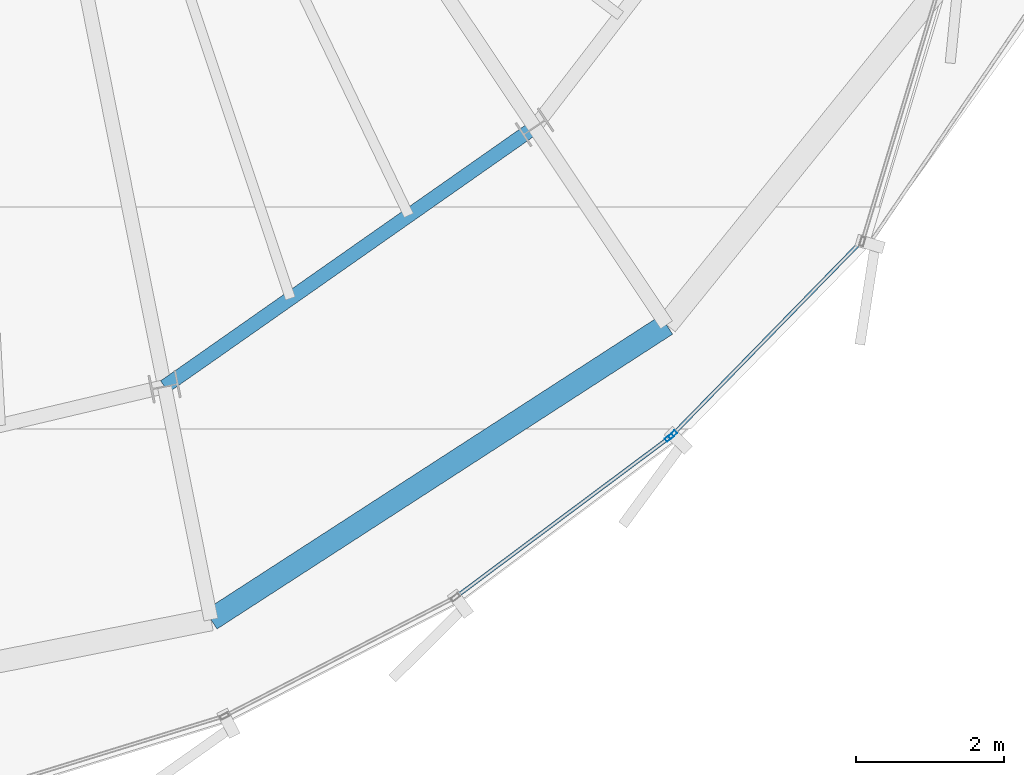
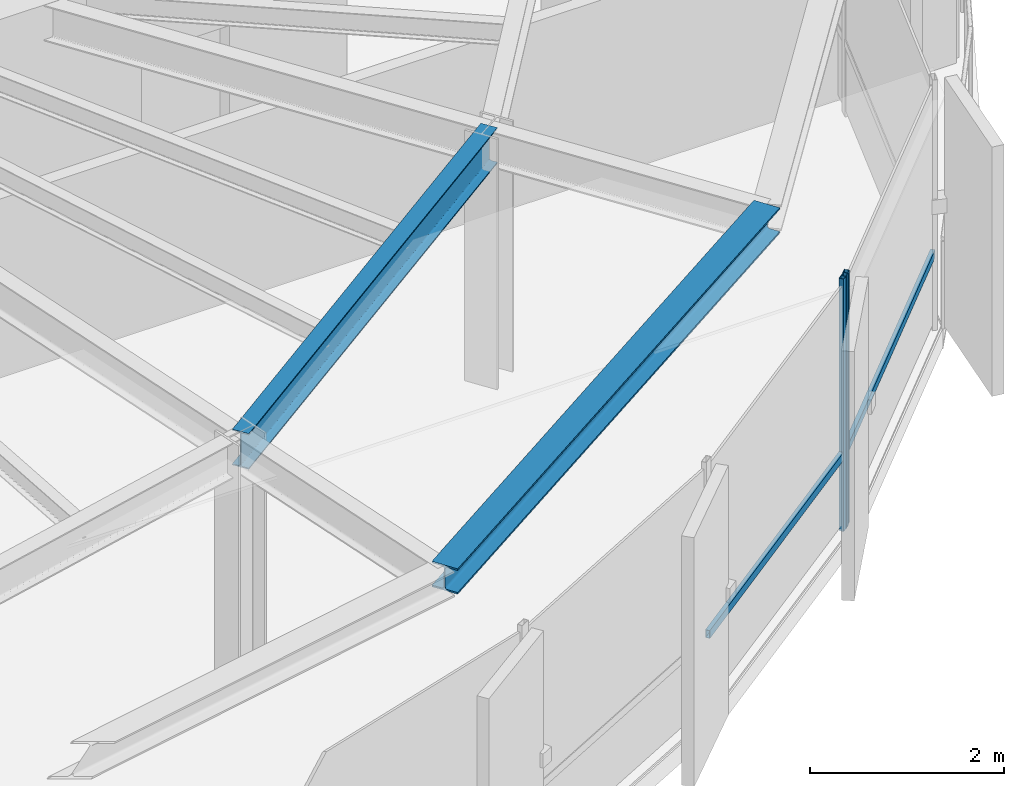
# One storey, part 7 of 31: 4 members, 2 beams, 2 elements without a shape of their own.
"""IFC4 building model written with IfcOpenShell, lengths in metres."""

from ifc_helpers import new_model, si_unit, direction, frame, origin, origin_2d, place, context, subcontext, project, spatial, hollow_rectangle, i_section, extrude, source, transform, mapped, material, layer, layer_set, material_profile, profile_set, type_object, element, aggregate, save


model = new_model("IFC4")

# Units and contexts
model_context = context("Model", 3, precision=1e-05, world=origin(), true_north=direction((0.0, 1.0)))
body_context = subcontext(model_context, "Body", "Model", "MODEL_VIEW")
ifc_project = project(units=[si_unit("LENGTHUNIT", "METRE"), si_unit("AREAUNIT", "SQUARE_METRE"), si_unit("VOLUMEUNIT", "CUBIC_METRE"), si_unit("PLANEANGLEUNIT", "RADIAN"), si_unit("MASSUNIT", "GRAM", prefix="KILO"), si_unit("THERMODYNAMICTEMPERATUREUNIT", "KELVIN")], contexts=[model_context])

# Site, building, storey
site_placement = place(None, origin())
site = spatial("IfcSite", under=ifc_project, at=site_placement, CompositionType="ELEMENT")
building_placement = place(site_placement, origin())
building = spatial("IfcBuilding", under=site, at=building_placement, Name="Kethvar Cultural Tower", CompositionType="ELEMENT")
storey_placement = place(building_placement, frame((0.0, 0.0, 300.85009765625)))
storey = spatial("IfcBuildingStorey", under=building, at=storey_placement, Name="L80", CompositionType="ELEMENT", Elevation=300.85009765625)

# Beams
ifc_material_1 = material(Name="Steel S355J2", Category="steel")
ifc_material_profile_1 = material_profile(ifc_material_1, i_section(OverallWidth=0.18994140625, OverallDepth=0.449951171875, WebThickness=0.009521484375, FlangeThickness=0.0146484375, FilletRadius=0.02099609375, at=origin_2d()), Name="Steel S355J2 — IPE450")
ifc_profile_set_1 = profile_set([ifc_material_profile_1], Name="Steel S355J2 — IPE450")
beam_type_1 = type_object("IfcBeamType", Name="BM-IPE450", PredefinedType="BEAM", material=ifc_profile_set_1)
shared_shape_1 = source(origin(), body_context, "Body", "SweptSolid", [
    extrude(i_section(OverallWidth=0.18994140625, OverallDepth=0.449951171875, WebThickness=0.009521484375, FlangeThickness=0.0146484375, FilletRadius=0.02099609375, at=origin_2d()), origin(), (0.0, 0.0, 1.0), 6.0859375),
])
beam_1_placement = place(storey_placement, frame((49.901611328125, 12.206787109375, 2.9580078125), z_axis=(0.818843498091, 0.57401683393, 0.0), x_axis=(-0.57401683393, 0.818843498091, 0.0)))
element("IfcBeam", 1, at=beam_1_placement, inside=storey, type_object=beam_type_1, Name="L80 Column Ring Tie Beam CR-13", PredefinedType="BEAM", context=body_context, shape_type="MappedRepresentation", body=[
    mapped(shared_shape_1, transform((0.0, 0.0, 0.0), scale=1.0)),
])
ifc_material_profile_2 = material_profile(ifc_material_1, i_section(OverallWidth=0.300048828125, OverallDepth=0.320068359375, WebThickness=0.011474609375, FlangeThickness=0.0205078125, FilletRadius=0.027099609375, at=origin_2d()), Name="Steel S355J2 — HEB320")
ifc_profile_set_2 = profile_set([ifc_material_profile_2], Name="Steel S355J2 — HEB320")
beam_type_2 = type_object("IfcBeamType", Name="BM-SP320", PredefinedType="SPANDREL", material=ifc_profile_set_2)
shared_shape_2 = source(origin(), body_context, "Body", "SweptSolid", [
    extrude(i_section(OverallWidth=0.300048828125, OverallDepth=0.320068359375, WebThickness=0.011474609375, FlangeThickness=0.0205078125, FilletRadius=0.027099609375, at=origin_2d()), origin(), (0.0, 0.0, 1.0), 7.309326171875),
])
beam_2_placement = place(storey_placement, frame((50.52587890625, 9.068359375, 3.02294921875), z_axis=(0.839562091992, 0.543263742292, 0.0), x_axis=(-0.543263742292, 0.839562091992, 0.0)))
element("IfcBeam", 2, at=beam_2_placement, inside=storey, type_object=beam_type_2, Name="L80 Perimeter Spandrel Beam SP-13", PredefinedType="SPANDREL", context=body_context, shape_type="MappedRepresentation", body=[
    mapped(shared_shape_2, transform((0.0, 0.0, 0.0), scale=1.0)),
])

# Curtain wall, member
ifc_material_2 = material(Name="Aluminium 6063-T6", Category="aluminium")
ifc_layer = layer(ifc_material_2, 0.179931640625, Name="Aluminium 6063-T6", Category="aluminium")
ifc_layer_set = layer_set([ifc_layer], Name="Aluminium 6063-T6 (180 mm)")
curtain_wall_type = type_object("IfcCurtainWallType", Name="CW-SYS-05-Z56", PredefinedType="NOTDEFINED", material=ifc_layer_set)
curtain_wall_1_placement = place(storey_placement, origin())
curtain_wall_1 = element("IfcCurtainWall", 3, at=curtain_wall_1_placement, inside=storey, type_object=curtain_wall_type, Name="L80 Curtain Wall Run 04", PredefinedType="NOTDEFINED")
ifc_material_profile_3 = material_profile(ifc_material_2, hollow_rectangle(XDim=0.054931640625, YDim=0.1201171875, WallThickness=0.00390625, at=origin_2d()), Name="Aluminium 6063-T6 — RHS120x55x4")
ifc_profile_set_3 = profile_set([ifc_material_profile_3], Name="Aluminium 6063-T6 — RHS120x55x4")
member_type_1 = type_object("IfcMemberType", Name="CW-SYS-05-Z56-MUL", PredefinedType="MULLION", material=ifc_profile_set_3)
shared_shape_3 = source(origin(), body_context, "Body", "SweptSolid", [
    extrude(hollow_rectangle(XDim=0.054931640625, YDim=0.1201171875, WallThickness=0.00390625, at=origin_2d()), origin(), (0.0, 0.0, 1.0), 3.184814453125),
])
member_1_placement = place(storey_placement, frame((56.70068359375, 11.521484375, 0.0), z_axis=(0.0, 0.0, 1.0), x_axis=(-0.598240690187, 0.801316464703, 0.0)))
member_1 = element("IfcMember", 4, at=member_1_placement, type_object=member_type_1, Name="CW-L80-R04 Mullion 7", PredefinedType="MULLION", context=body_context, shape_type="MappedRepresentation", body=[
    mapped(shared_shape_3, transform((0.0, 0.0, 0.0), scale=1.0)),
])

# Curtain wall, members
curtain_wall_2_placement = place(storey_placement, origin())
curtain_wall_2 = element("IfcCurtainWall", 5, at=curtain_wall_2_placement, inside=storey, type_object=curtain_wall_type, Name="L80 Curtain Wall Run 05", PredefinedType="NOTDEFINED")
member_2_placement = place(storey_placement, frame((56.74267578125, 11.558349609375, 0.0), z_axis=(0.0, 0.0, 1.0), x_axis=(-0.715436703066, 0.698677553601, 0.0)))
member_2 = element("IfcMember", 6, at=member_2_placement, type_object=member_type_1, Name="CW-L80-R05 Mullion 1", PredefinedType="MULLION", context=body_context, shape_type="MappedRepresentation", body=[
    mapped(shared_shape_3, transform((0.0, 0.0, 0.0), scale=1.0)),
])
ifc_material_profile_4 = material_profile(ifc_material_2, hollow_rectangle(XDim=0.050048828125, YDim=0.10009765625, WallThickness=0.00390625, at=origin_2d()), Name="Aluminium 6063-T6 — RHS100x50x4")
ifc_profile_set_4 = profile_set([ifc_material_profile_4], Name="Aluminium 6063-T6 — RHS100x50x4")
member_type_2 = type_object("IfcMemberType", Name="CW-SYS-05-Z56-TRN", PredefinedType="USERDEFINED", material=ifc_profile_set_4)
shared_shape_4 = source(origin(), body_context, "Body", "SweptSolid", [
    extrude(hollow_rectangle(XDim=0.050048828125, YDim=0.10009765625, WallThickness=0.00390625, at=origin_2d()), origin(), (0.0, 0.0, 1.0), 3.650634765625),
])
member_3_placement = place(storey_placement, frame((56.745361328125, 11.56103515625, 0.949951171875), z_axis=(0.698663906216, 0.715450030506, 0.0), x_axis=(-0.715450030506, 0.698663906216, 0.0)))
member_3 = element("IfcMember", 7, at=member_3_placement, type_object=member_type_2, Name="CW-L80-R05 Transom 1", ObjectType="TRANSOM", PredefinedType="USERDEFINED", context=body_context, shape_type="MappedRepresentation", body=[
    mapped(shared_shape_4, transform((0.0, 0.0, 0.0), scale=1.0)),
])
aggregate(curtain_wall_2, [member_2, member_3])

# Member
shared_shape_5 = source(origin(), body_context, "Body", "SweptSolid", [
    extrude(hollow_rectangle(XDim=0.050048828125, YDim=0.10009765625, WallThickness=0.00390625, at=origin_2d()), origin(), (0.0, 0.0, 1.0), 3.551513671875),
])
member_4_placement = place(storey_placement, frame((53.851806640625, 9.394775390625, 0.949951171875), z_axis=(0.801342613344, 0.598205663663, 0.0), x_axis=(-0.598205663663, 0.801342613344, 0.0)))
member_4 = element("IfcMember", 8, at=member_4_placement, type_object=member_type_2, Name="CW-L80-R04 Transom 6", ObjectType="TRANSOM", PredefinedType="USERDEFINED", context=body_context, shape_type="MappedRepresentation", body=[
    mapped(shared_shape_5, transform((0.0, 0.0, 0.0), scale=1.0)),
])

aggregate(curtain_wall_1, [member_1, member_4])

save(model, "model.ifc")
